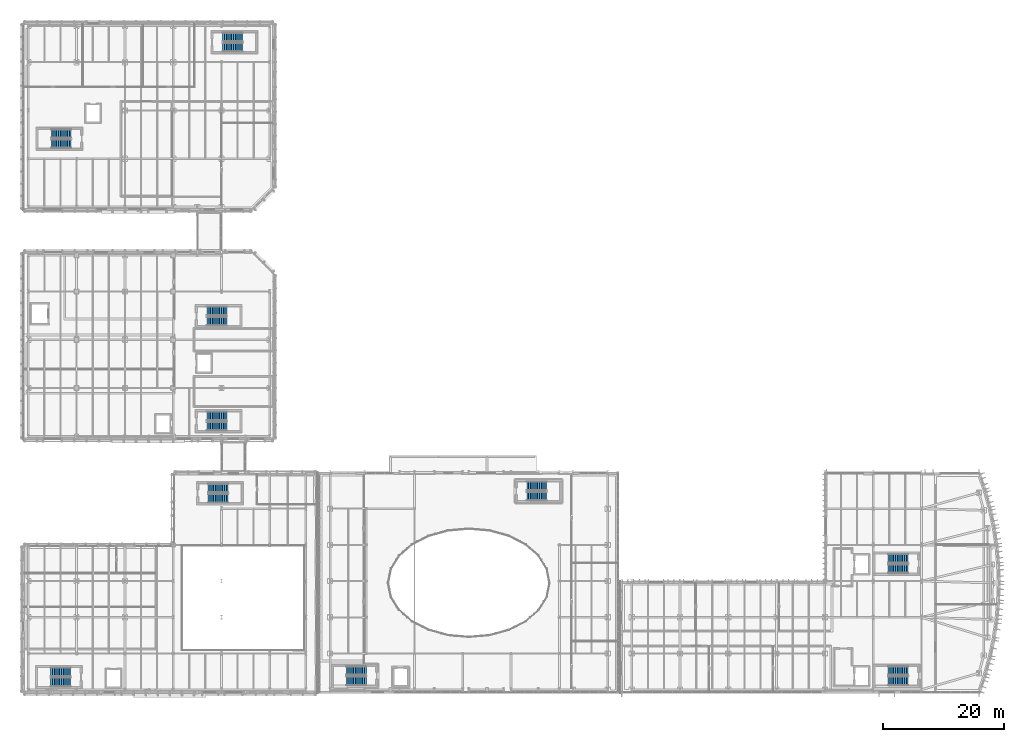
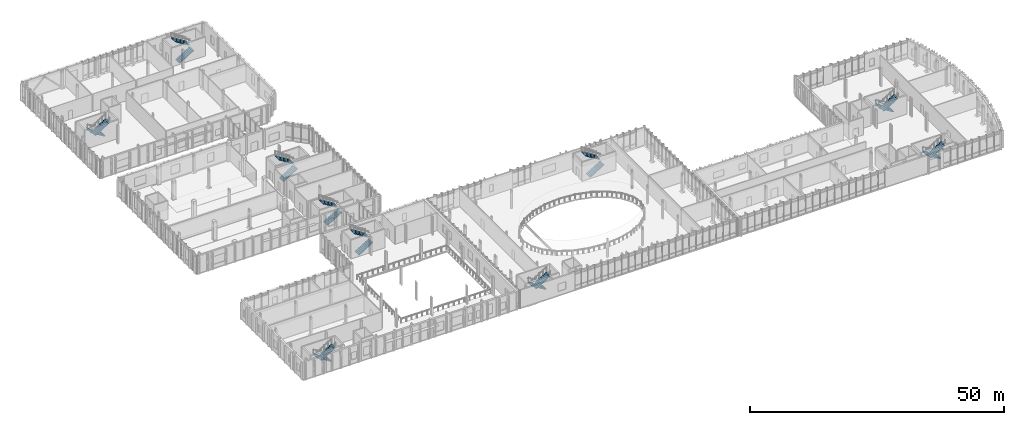
# One storey, part 74 of 100: 20 stair flights, 10 elements without a shape of their own.
"""IFC4 building model written with IfcOpenShell, lengths in metres."""

from ifc_helpers import new_model, si_unit, direction, frame, origin, place, context, subcontext, project, spatial, polyline, outline, extrude, material, type_object, element, aggregate, save


model = new_model("IFC4")

# Units and contexts
model_context = context("Model", 3, precision=1e-05, world=origin(), true_north=direction((0.0, 1.0)))
body_context = subcontext(model_context, "Body", "Model", "MODEL_VIEW")
ifc_project = project(units=[si_unit("LENGTHUNIT", "METRE"), si_unit("AREAUNIT", "SQUARE_METRE"), si_unit("VOLUMEUNIT", "CUBIC_METRE"), si_unit("PLANEANGLEUNIT", "RADIAN"), si_unit("MASSUNIT", "GRAM", prefix="KILO")], contexts=[model_context])

# Site, building, storey
site_placement = place(None, origin())
site = spatial("IfcSite", under=ifc_project, at=site_placement, CompositionType="ELEMENT")
building_placement = place(site_placement, origin())
building = spatial("IfcBuilding", under=site, at=building_placement, Name="Cymarion Research Institute", CompositionType="ELEMENT")
storey_placement = place(building_placement, frame((0.0, 0.0, 4.800048828125)))
storey = spatial("IfcBuildingStorey", under=building, at=storey_placement, Name="L01", CompositionType="ELEMENT", Elevation=4.800048828125)

# Stair, stair flights
ifc_material = material(Name="Concrete C35/45", Category="concrete")
stair_type = type_object("IfcStairType", Name="REINFORCED CONCRETE DOGLEG STAIR STR-4500", PredefinedType="HALF_TURN_STAIR", material=ifc_material)
stair_1_placement = place(storey_placement, origin())
stair_1 = element("IfcStair", 1, at=stair_1_placement, inside=storey, type_object=stair_type, Name="L01 Core C1 Smoke-Proof Exit Stair ST1", PredefinedType="HALF_TURN_STAIR")
stair_flight_type = type_object("IfcStairFlightType", Name="REINFORCED CONCRETE STAIR FLIGHT SFL-4500", PredefinedType="STRAIGHT", material=ifc_material)
stair_flight_1_placement = place(storey_placement, frame((152.39990234375, 8.639892578125, 0.0), z_axis=(0.0, 0.0, 1.0), x_axis=(-1.0, 0.0, 0.0)))
stair_flight_1 = element("IfcStairFlight", 2, at=stair_flight_1_placement, type_object=stair_flight_type, Name="ST1 flight 1", NumberOfRisers=12, NumberOfTreads=11, PredefinedType="STRAIGHT", RiserHeight=0.1875, TreadLength=0.3, context=body_context, shape_type="SweptSolid", body=[
    extrude(outline(polyline([(0.0, 0.0), (0.0, 0.1875), (0.300048828125, 0.1875), (0.300048828125, 0.375), (0.60009765625, 0.375), (0.60009765625, 0.5625), (0.89990234375, 0.5625), (0.89990234375, 0.75), (1.199951171875, 0.75), (1.199951171875, 0.9375), (1.5, 0.9375), (1.5, 1.125), (1.800048828125, 1.125), (1.800048828125, 1.3125), (2.10009765625, 1.3125), (2.10009765625, 1.5), (2.39990234375, 1.5), (2.39990234375, 1.6875), (2.699951171875, 1.6875), (2.699951171875, 1.875), (3.0, 1.875), (3.0, 2.0625), (3.300048828125, 2.0625), (3.300048828125, 2.25), (3.300048828125, 1.8857421875), (0.28271484375, 0.0), (0.0, 0.0)])), frame((0.0, 0.760009765625, 0.0), z_axis=(0.0, -1.0, 0.0), x_axis=(1.0, 0.0, 0.0)), (0.0, 0.0, 1.0), 1.52001953125),
])
stair_flight_2_placement = place(storey_placement, frame((149.10009765625, 6.9599609375, 2.25), z_axis=(0.0, 0.0, 1.0), x_axis=(1.0, 0.0, 0.0)))
stair_flight_2 = element("IfcStairFlight", 3, at=stair_flight_2_placement, type_object=stair_flight_type, Name="ST1 flight 2", NumberOfRisers=12, NumberOfTreads=11, PredefinedType="STRAIGHT", RiserHeight=0.1875, TreadLength=0.3, context=body_context, shape_type="SweptSolid", body=[
    extrude(outline(polyline([(0.0, 0.0), (0.0, 0.1875), (0.300048828125, 0.1875), (0.300048828125, 0.375), (0.60009765625, 0.375), (0.60009765625, 0.5625), (0.89990234375, 0.5625), (0.89990234375, 0.75), (1.199951171875, 0.75), (1.199951171875, 0.9375), (1.5, 0.9375), (1.5, 1.125), (1.800048828125, 1.125), (1.800048828125, 1.3125), (2.10009765625, 1.3125), (2.10009765625, 1.5), (2.39990234375, 1.5), (2.39990234375, 1.6875), (2.699951171875, 1.6875), (2.699951171875, 1.875), (3.0, 1.875), (3.0, 2.0625), (3.300048828125, 2.0625), (3.300048828125, 2.25), (3.300048828125, 1.8857421875), (0.28271484375, 0.0), (0.0, 0.0)])), frame((0.0, 0.760009765625, 0.0), z_axis=(0.0, -1.0, 0.0), x_axis=(1.0, 0.0, 0.0)), (0.0, 0.0, 1.0), 1.52001953125),
])
aggregate(stair_1, [stair_flight_1, stair_flight_2])

stair_2_placement = place(storey_placement, origin())
stair_2 = element("IfcStair", 4, at=stair_2_placement, inside=storey, type_object=stair_type, Name="L01 Core C2 Smoke-Proof Exit Stair ST2", PredefinedType="HALF_TURN_STAIR")
stair_flight_3_placement = place(storey_placement, frame((152.39990234375, 27.239990234375, 0.0), z_axis=(0.0, 0.0, 1.0), x_axis=(-1.0, 0.0, 0.0)))
stair_flight_3 = element("IfcStairFlight", 5, at=stair_flight_3_placement, type_object=stair_flight_type, Name="ST2 flight 1", NumberOfRisers=12, NumberOfTreads=11, PredefinedType="STRAIGHT", RiserHeight=0.1875, TreadLength=0.3, context=body_context, shape_type="SweptSolid", body=[
    extrude(outline(polyline([(0.0, 0.0), (0.0, 0.1875), (0.300048828125, 0.1875), (0.300048828125, 0.375), (0.60009765625, 0.375), (0.60009765625, 0.5625), (0.89990234375, 0.5625), (0.89990234375, 0.75), (1.199951171875, 0.75), (1.199951171875, 0.9375), (1.5, 0.9375), (1.5, 1.125), (1.800048828125, 1.125), (1.800048828125, 1.3125), (2.10009765625, 1.3125), (2.10009765625, 1.5), (2.39990234375, 1.5), (2.39990234375, 1.6875), (2.699951171875, 1.6875), (2.699951171875, 1.875), (3.0, 1.875), (3.0, 2.0625), (3.300048828125, 2.0625), (3.300048828125, 2.25), (3.300048828125, 1.8857421875), (0.28271484375, 0.0), (0.0, 0.0)])), frame((0.0, 0.760009765625, 0.0), z_axis=(0.0, -1.0, 0.0), x_axis=(1.0, 0.0, 0.0)), (0.0, 0.0, 1.0), 1.52001953125),
])
stair_flight_4_placement = place(storey_placement, frame((149.10009765625, 25.56005859375, 2.25), z_axis=(0.0, 0.0, 1.0), x_axis=(1.0, 0.0, 0.0)))
stair_flight_4 = element("IfcStairFlight", 6, at=stair_flight_4_placement, type_object=stair_flight_type, Name="ST2 flight 2", NumberOfRisers=12, NumberOfTreads=11, PredefinedType="STRAIGHT", RiserHeight=0.1875, TreadLength=0.3, context=body_context, shape_type="SweptSolid", body=[
    extrude(outline(polyline([(0.0, 0.0), (0.0, 0.1875), (0.300048828125, 0.1875), (0.300048828125, 0.375), (0.60009765625, 0.375), (0.60009765625, 0.5625), (0.89990234375, 0.5625), (0.89990234375, 0.75), (1.199951171875, 0.75), (1.199951171875, 0.9375), (1.5, 0.9375), (1.5, 1.125), (1.800048828125, 1.125), (1.800048828125, 1.3125), (2.10009765625, 1.3125), (2.10009765625, 1.5), (2.39990234375, 1.5), (2.39990234375, 1.6875), (2.699951171875, 1.6875), (2.699951171875, 1.875), (3.0, 1.875), (3.0, 2.0625), (3.300048828125, 2.0625), (3.300048828125, 2.25), (3.300048828125, 1.8857421875), (0.28271484375, 0.0), (0.0, 0.0)])), frame((0.0, 0.760009765625, 0.0), z_axis=(0.0, -1.0, 0.0), x_axis=(1.0, 0.0, 0.0)), (0.0, 0.0, 1.0), 1.52001953125),
])
aggregate(stair_2, [stair_flight_3, stair_flight_4])

stair_3_placement = place(storey_placement, origin())
stair_3 = element("IfcStair", 7, at=stair_3_placement, inside=storey, type_object=stair_type, Name="L01 Core C3 Smoke-Proof Exit Stair ST3", PredefinedType="HALF_TURN_STAIR")
stair_flight_5_placement = place(storey_placement, frame((62.60009765625, 8.639892578125, 0.0), z_axis=(0.0, 0.0, 1.0), x_axis=(-1.0, 0.0, 0.0)))
stair_flight_5 = element("IfcStairFlight", 8, at=stair_flight_5_placement, type_object=stair_flight_type, Name="ST3 flight 1", NumberOfRisers=12, NumberOfTreads=11, PredefinedType="STRAIGHT", RiserHeight=0.1875, TreadLength=0.3, context=body_context, shape_type="SweptSolid", body=[
    extrude(outline(polyline([(0.0, 0.0), (0.0, 0.1875), (0.300048828125, 0.1875), (0.300048828125, 0.375), (0.60009765625, 0.375), (0.60009765625, 0.5625), (0.89990234375, 0.5625), (0.89990234375, 0.75), (1.199951171875, 0.75), (1.199951171875, 0.9375), (1.5, 0.9375), (1.5, 1.125), (1.800048828125, 1.125), (1.800048828125, 1.3125), (2.10009765625, 1.3125), (2.10009765625, 1.5), (2.39990234375, 1.5), (2.39990234375, 1.6875), (2.699951171875, 1.6875), (2.699951171875, 1.875), (3.0, 1.875), (3.0, 2.0625), (3.300048828125, 2.0625), (3.300048828125, 2.25), (3.300048828125, 1.8857421875), (0.28271484375, 0.0), (0.0, 0.0)])), frame((0.0, 0.760009765625, 0.0), z_axis=(0.0, -1.0, 0.0), x_axis=(1.0, 0.0, 0.0)), (0.0, 0.0, 1.0), 1.52001953125),
])
stair_flight_6_placement = place(storey_placement, frame((59.300048828125, 6.9599609375, 2.25), z_axis=(0.0, 0.0, 1.0), x_axis=(1.0, 0.0, 0.0)))
stair_flight_6 = element("IfcStairFlight", 9, at=stair_flight_6_placement, type_object=stair_flight_type, Name="ST3 flight 2", NumberOfRisers=12, NumberOfTreads=11, PredefinedType="STRAIGHT", RiserHeight=0.1875, TreadLength=0.3, context=body_context, shape_type="SweptSolid", body=[
    extrude(outline(polyline([(0.0, 0.0), (0.0, 0.1875), (0.300048828125, 0.1875), (0.300048828125, 0.375), (0.60009765625, 0.375), (0.60009765625, 0.5625), (0.89990234375, 0.5625), (0.89990234375, 0.75), (1.199951171875, 0.75), (1.199951171875, 0.9375), (1.5, 0.9375), (1.5, 1.125), (1.800048828125, 1.125), (1.800048828125, 1.3125), (2.10009765625, 1.3125), (2.10009765625, 1.5), (2.39990234375, 1.5), (2.39990234375, 1.6875), (2.699951171875, 1.6875), (2.699951171875, 1.875), (3.0, 1.875), (3.0, 2.0625), (3.300048828125, 2.0625), (3.300048828125, 2.25), (3.300048828125, 1.8857421875), (0.28271484375, 0.0), (0.0, 0.0)])), frame((0.0, 0.760009765625, 0.0), z_axis=(0.0, -1.0, 0.0), x_axis=(1.0, 0.0, 0.0)), (0.0, 0.0, 1.0), 1.52001953125),
])
aggregate(stair_3, [stair_flight_5, stair_flight_6])

stair_4_placement = place(storey_placement, origin())
stair_4 = element("IfcStair", 10, at=stair_4_placement, inside=storey, type_object=stair_type, Name="L01 Core C4 Smoke-Proof Exit Stair ST4", PredefinedType="HALF_TURN_STAIR")
stair_flight_7_placement = place(storey_placement, frame((89.199951171875, 37.56005859375, 0.0), z_axis=(0.0, 0.0, 1.0), x_axis=(1.0, 0.0, 0.0)))
stair_flight_7 = element("IfcStairFlight", 11, at=stair_flight_7_placement, type_object=stair_flight_type, Name="ST4 flight 1", NumberOfRisers=12, NumberOfTreads=11, PredefinedType="STRAIGHT", RiserHeight=0.1875, TreadLength=0.3, context=body_context, shape_type="SweptSolid", body=[
    extrude(outline(polyline([(0.0, 0.0), (0.0, 0.1875), (0.300048828125, 0.1875), (0.300048828125, 0.375), (0.60009765625, 0.375), (0.60009765625, 0.5625), (0.89990234375, 0.5625), (0.89990234375, 0.75), (1.199951171875, 0.75), (1.199951171875, 0.9375), (1.5, 0.9375), (1.5, 1.125), (1.800048828125, 1.125), (1.800048828125, 1.3125), (2.10009765625, 1.3125), (2.10009765625, 1.5), (2.39990234375, 1.5), (2.39990234375, 1.6875), (2.699951171875, 1.6875), (2.699951171875, 1.875), (3.0, 1.875), (3.0, 2.0625), (3.300048828125, 2.0625), (3.300048828125, 2.25), (3.300048828125, 1.8857421875), (0.28271484375, 0.0), (0.0, 0.0)])), frame((0.0, 0.760009765625, 0.0), z_axis=(0.0, -1.0, 0.0), x_axis=(1.0, 0.0, 0.0)), (0.0, 0.0, 1.0), 1.52001953125),
])
stair_flight_8_placement = place(storey_placement, frame((92.5, 39.239990234375, 2.25), z_axis=(0.0, 0.0, 1.0), x_axis=(-1.0, 0.0, 0.0)))
stair_flight_8 = element("IfcStairFlight", 12, at=stair_flight_8_placement, type_object=stair_flight_type, Name="ST4 flight 2", NumberOfRisers=12, NumberOfTreads=11, PredefinedType="STRAIGHT", RiserHeight=0.1875, TreadLength=0.3, context=body_context, shape_type="SweptSolid", body=[
    extrude(outline(polyline([(0.0, 0.0), (0.0, 0.1875), (0.300048828125, 0.1875), (0.300048828125, 0.375), (0.60009765625, 0.375), (0.60009765625, 0.5625), (0.89990234375, 0.5625), (0.89990234375, 0.75), (1.199951171875, 0.75), (1.199951171875, 0.9375), (1.5, 0.9375), (1.5, 1.125), (1.800048828125, 1.125), (1.800048828125, 1.3125), (2.10009765625, 1.3125), (2.10009765625, 1.5), (2.39990234375, 1.5), (2.39990234375, 1.6875), (2.699951171875, 1.6875), (2.699951171875, 1.875), (3.0, 1.875), (3.0, 2.0625), (3.300048828125, 2.0625), (3.300048828125, 2.25), (3.300048828125, 1.8857421875), (0.28271484375, 0.0), (0.0, 0.0)])), frame((0.0, 0.760009765625, 0.0), z_axis=(0.0, -1.0, 0.0), x_axis=(1.0, 0.0, 0.0)), (0.0, 0.0, 1.0), 1.52001953125),
])
aggregate(stair_4, [stair_flight_7, stair_flight_8])

stair_5_placement = place(storey_placement, origin())
stair_5 = element("IfcStair", 13, at=stair_5_placement, inside=storey, type_object=stair_type, Name="L01 Core C5 Smoke-Proof Exit Stair ST5", PredefinedType="HALF_TURN_STAIR")
stair_flight_9_placement = place(storey_placement, frame((13.60009765625, 8.43994140625, 0.0), z_axis=(0.0, 0.0, 1.0), x_axis=(-1.0, 0.0, 0.0)))
stair_flight_9 = element("IfcStairFlight", 14, at=stair_flight_9_placement, type_object=stair_flight_type, Name="ST5 flight 1", NumberOfRisers=12, NumberOfTreads=11, PredefinedType="STRAIGHT", RiserHeight=0.1875, TreadLength=0.3, context=body_context, shape_type="SweptSolid", body=[
    extrude(outline(polyline([(0.0, 0.0), (0.0, 0.1875), (0.300048828125, 0.1875), (0.300048828125, 0.375), (0.60009765625, 0.375), (0.60009765625, 0.5625), (0.89990234375, 0.5625), (0.89990234375, 0.75), (1.199951171875, 0.75), (1.199951171875, 0.9375), (1.5, 0.9375), (1.5, 1.125), (1.800048828125, 1.125), (1.800048828125, 1.3125), (2.10009765625, 1.3125), (2.10009765625, 1.5), (2.39990234375, 1.5), (2.39990234375, 1.6875), (2.699951171875, 1.6875), (2.699951171875, 1.875), (3.0, 1.875), (3.0, 2.0625), (3.300048828125, 2.0625), (3.300048828125, 2.25), (3.300048828125, 1.8857421875), (0.28271484375, 0.0), (0.0, 0.0)])), frame((0.0, 0.760009765625, 0.0), z_axis=(0.0, -1.0, 0.0), x_axis=(1.0, 0.0, 0.0)), (0.0, 0.0, 1.0), 1.52001953125),
])
stair_flight_10_placement = place(storey_placement, frame((10.300048828125, 6.760009765625, 2.25), z_axis=(0.0, 0.0, 1.0), x_axis=(1.0, 0.0, 0.0)))
stair_flight_10 = element("IfcStairFlight", 15, at=stair_flight_10_placement, type_object=stair_flight_type, Name="ST5 flight 2", NumberOfRisers=12, NumberOfTreads=11, PredefinedType="STRAIGHT", RiserHeight=0.1875, TreadLength=0.3, context=body_context, shape_type="SweptSolid", body=[
    extrude(outline(polyline([(0.0, 0.0), (0.0, 0.1875), (0.300048828125, 0.1875), (0.300048828125, 0.375), (0.60009765625, 0.375), (0.60009765625, 0.5625), (0.89990234375, 0.5625), (0.89990234375, 0.75), (1.199951171875, 0.75), (1.199951171875, 0.9375), (1.5, 0.9375), (1.5, 1.125), (1.800048828125, 1.125), (1.800048828125, 1.3125), (2.10009765625, 1.3125), (2.10009765625, 1.5), (2.39990234375, 1.5), (2.39990234375, 1.6875), (2.699951171875, 1.6875), (2.699951171875, 1.875), (3.0, 1.875), (3.0, 2.0625), (3.300048828125, 2.0625), (3.300048828125, 2.25), (3.300048828125, 1.8857421875), (0.28271484375, 0.0), (0.0, 0.0)])), frame((0.0, 0.760009765625, 0.0), z_axis=(0.0, -1.0, 0.0), x_axis=(1.0, 0.0, 0.0)), (0.0, 0.0, 1.0), 1.52001953125),
])
aggregate(stair_5, [stair_flight_9, stair_flight_10])

stair_6_placement = place(storey_placement, origin())
stair_6 = element("IfcStair", 16, at=stair_6_placement, inside=storey, type_object=stair_type, Name="L01 Core C6 Smoke-Proof Exit Stair ST6", PredefinedType="HALF_TURN_STAIR")
stair_flight_11_placement = place(storey_placement, frame((36.39990234375, 37.2099609375, 0.0), z_axis=(0.0, 0.0, 1.0), x_axis=(1.0, 0.0, 0.0)))
stair_flight_11 = element("IfcStairFlight", 17, at=stair_flight_11_placement, type_object=stair_flight_type, Name="ST6 flight 1", NumberOfRisers=12, NumberOfTreads=11, PredefinedType="STRAIGHT", RiserHeight=0.1875, TreadLength=0.3, context=body_context, shape_type="SweptSolid", body=[
    extrude(outline(polyline([(0.0, 0.0), (0.0, 0.1875), (0.300048828125, 0.1875), (0.300048828125, 0.375), (0.60009765625, 0.375), (0.60009765625, 0.5625), (0.89990234375, 0.5625), (0.89990234375, 0.75), (1.199951171875, 0.75), (1.199951171875, 0.9375), (1.5, 0.9375), (1.5, 1.125), (1.800048828125, 1.125), (1.800048828125, 1.3125), (2.10009765625, 1.3125), (2.10009765625, 1.5), (2.39990234375, 1.5), (2.39990234375, 1.6875), (2.699951171875, 1.6875), (2.699951171875, 1.875), (3.0, 1.875), (3.0, 2.0625), (3.300048828125, 2.0625), (3.300048828125, 2.25), (3.300048828125, 1.8857421875), (0.28271484375, 0.0), (0.0, 0.0)])), frame((0.0, 0.760009765625, 0.0), z_axis=(0.0, -1.0, 0.0), x_axis=(1.0, 0.0, 0.0)), (0.0, 0.0, 1.0), 1.52001953125),
])
stair_flight_12_placement = place(storey_placement, frame((39.699951171875, 38.889892578125, 2.25), z_axis=(0.0, 0.0, 1.0), x_axis=(-1.0, 0.0, 0.0)))
stair_flight_12 = element("IfcStairFlight", 18, at=stair_flight_12_placement, type_object=stair_flight_type, Name="ST6 flight 2", NumberOfRisers=12, NumberOfTreads=11, PredefinedType="STRAIGHT", RiserHeight=0.1875, TreadLength=0.3, context=body_context, shape_type="SweptSolid", body=[
    extrude(outline(polyline([(0.0, 0.0), (0.0, 0.1875), (0.300048828125, 0.1875), (0.300048828125, 0.375), (0.60009765625, 0.375), (0.60009765625, 0.5625), (0.89990234375, 0.5625), (0.89990234375, 0.75), (1.199951171875, 0.75), (1.199951171875, 0.9375), (1.5, 0.9375), (1.5, 1.125), (1.800048828125, 1.125), (1.800048828125, 1.3125), (2.10009765625, 1.3125), (2.10009765625, 1.5), (2.39990234375, 1.5), (2.39990234375, 1.6875), (2.699951171875, 1.6875), (2.699951171875, 1.875), (3.0, 1.875), (3.0, 2.0625), (3.300048828125, 2.0625), (3.300048828125, 2.25), (3.300048828125, 1.8857421875), (0.28271484375, 0.0), (0.0, 0.0)])), frame((0.0, 0.760009765625, 0.0), z_axis=(0.0, -1.0, 0.0), x_axis=(1.0, 0.0, 0.0)), (0.0, 0.0, 1.0), 1.52001953125),
])
aggregate(stair_6, [stair_flight_11, stair_flight_12])

stair_7_placement = place(storey_placement, origin())
stair_7 = element("IfcStair", 19, at=stair_7_placement, inside=storey, type_object=stair_type, Name="L01 Core C7 Smoke-Proof Exit Stair ST7", PredefinedType="HALF_TURN_STAIR")
stair_flight_13_placement = place(storey_placement, frame((36.199951171875, 49.159912109375, 0.0), z_axis=(0.0, 0.0, 1.0), x_axis=(1.0, 0.0, 0.0)))
stair_flight_13 = element("IfcStairFlight", 20, at=stair_flight_13_placement, type_object=stair_flight_type, Name="ST7 flight 1", NumberOfRisers=12, NumberOfTreads=11, PredefinedType="STRAIGHT", RiserHeight=0.1875, TreadLength=0.3, context=body_context, shape_type="SweptSolid", body=[
    extrude(outline(polyline([(0.0, 0.0), (0.0, 0.1875), (0.300048828125, 0.1875), (0.300048828125, 0.375), (0.60009765625, 0.375), (0.60009765625, 0.5625), (0.89990234375, 0.5625), (0.89990234375, 0.75), (1.199951171875, 0.75), (1.199951171875, 0.9375), (1.5, 0.9375), (1.5, 1.125), (1.800048828125, 1.125), (1.800048828125, 1.3125), (2.10009765625, 1.3125), (2.10009765625, 1.5), (2.39990234375, 1.5), (2.39990234375, 1.6875), (2.699951171875, 1.6875), (2.699951171875, 1.875), (3.0, 1.875), (3.0, 2.0625), (3.300048828125, 2.0625), (3.300048828125, 2.25), (3.300048828125, 1.8857421875), (0.28271484375, 0.0), (0.0, 0.0)])), frame((0.0, 0.760009765625, 0.0), z_axis=(0.0, -1.0, 0.0), x_axis=(1.0, 0.0, 0.0)), (0.0, 0.0, 1.0), 1.52001953125),
])
stair_flight_14_placement = place(storey_placement, frame((39.5, 50.840087890625, 2.25), z_axis=(0.0, 0.0, 1.0), x_axis=(-1.0, 0.0, 0.0)))
stair_flight_14 = element("IfcStairFlight", 21, at=stair_flight_14_placement, type_object=stair_flight_type, Name="ST7 flight 2", NumberOfRisers=12, NumberOfTreads=11, PredefinedType="STRAIGHT", RiserHeight=0.1875, TreadLength=0.3, context=body_context, shape_type="SweptSolid", body=[
    extrude(outline(polyline([(0.0, 0.0), (0.0, 0.1875), (0.300048828125, 0.1875), (0.300048828125, 0.375), (0.60009765625, 0.375), (0.60009765625, 0.5625), (0.89990234375, 0.5625), (0.89990234375, 0.75), (1.199951171875, 0.75), (1.199951171875, 0.9375), (1.5, 0.9375), (1.5, 1.125), (1.800048828125, 1.125), (1.800048828125, 1.3125), (2.10009765625, 1.3125), (2.10009765625, 1.5), (2.39990234375, 1.5), (2.39990234375, 1.6875), (2.699951171875, 1.6875), (2.699951171875, 1.875), (3.0, 1.875), (3.0, 2.0625), (3.300048828125, 2.0625), (3.300048828125, 2.25), (3.300048828125, 1.8857421875), (0.28271484375, 0.0), (0.0, 0.0)])), frame((0.0, 0.760009765625, 0.0), z_axis=(0.0, -1.0, 0.0), x_axis=(1.0, 0.0, 0.0)), (0.0, 0.0, 1.0), 1.52001953125),
])
aggregate(stair_7, [stair_flight_13, stair_flight_14])

stair_8_placement = place(storey_placement, origin())
stair_8 = element("IfcStair", 22, at=stair_8_placement, inside=storey, type_object=stair_type, Name="L01 Core C8 Smoke-Proof Exit Stair ST8", PredefinedType="HALF_TURN_STAIR")
stair_flight_15_placement = place(storey_placement, frame((36.199951171875, 66.56005859375, 0.0), z_axis=(0.0, 0.0, 1.0), x_axis=(1.0, 0.0, 0.0)))
stair_flight_15 = element("IfcStairFlight", 23, at=stair_flight_15_placement, type_object=stair_flight_type, Name="ST8 flight 1", NumberOfRisers=12, NumberOfTreads=11, PredefinedType="STRAIGHT", RiserHeight=0.1875, TreadLength=0.3, context=body_context, shape_type="SweptSolid", body=[
    extrude(outline(polyline([(0.0, 0.0), (0.0, 0.1875), (0.300048828125, 0.1875), (0.300048828125, 0.375), (0.60009765625, 0.375), (0.60009765625, 0.5625), (0.89990234375, 0.5625), (0.89990234375, 0.75), (1.199951171875, 0.75), (1.199951171875, 0.9375), (1.5, 0.9375), (1.5, 1.125), (1.800048828125, 1.125), (1.800048828125, 1.3125), (2.10009765625, 1.3125), (2.10009765625, 1.5), (2.39990234375, 1.5), (2.39990234375, 1.6875), (2.699951171875, 1.6875), (2.699951171875, 1.875), (3.0, 1.875), (3.0, 2.0625), (3.300048828125, 2.0625), (3.300048828125, 2.25), (3.300048828125, 1.8857421875), (0.28271484375, 0.0), (0.0, 0.0)])), frame((0.0, 0.760009765625, 0.0), z_axis=(0.0, -1.0, 0.0), x_axis=(1.0, 0.0, 0.0)), (0.0, 0.0, 1.0), 1.52001953125),
])
stair_flight_16_placement = place(storey_placement, frame((39.5, 68.239990234375, 2.25), z_axis=(0.0, 0.0, 1.0), x_axis=(-1.0, 0.0, 0.0)))
stair_flight_16 = element("IfcStairFlight", 24, at=stair_flight_16_placement, type_object=stair_flight_type, Name="ST8 flight 2", NumberOfRisers=12, NumberOfTreads=11, PredefinedType="STRAIGHT", RiserHeight=0.1875, TreadLength=0.3, context=body_context, shape_type="SweptSolid", body=[
    extrude(outline(polyline([(0.0, 0.0), (0.0, 0.1875), (0.300048828125, 0.1875), (0.300048828125, 0.375), (0.60009765625, 0.375), (0.60009765625, 0.5625), (0.89990234375, 0.5625), (0.89990234375, 0.75), (1.199951171875, 0.75), (1.199951171875, 0.9375), (1.5, 0.9375), (1.5, 1.125), (1.800048828125, 1.125), (1.800048828125, 1.3125), (2.10009765625, 1.3125), (2.10009765625, 1.5), (2.39990234375, 1.5), (2.39990234375, 1.6875), (2.699951171875, 1.6875), (2.699951171875, 1.875), (3.0, 1.875), (3.0, 2.0625), (3.300048828125, 2.0625), (3.300048828125, 2.25), (3.300048828125, 1.8857421875), (0.28271484375, 0.0), (0.0, 0.0)])), frame((0.0, 0.760009765625, 0.0), z_axis=(0.0, -1.0, 0.0), x_axis=(1.0, 0.0, 0.0)), (0.0, 0.0, 1.0), 1.52001953125),
])
aggregate(stair_8, [stair_flight_15, stair_flight_16])

stair_9_placement = place(storey_placement, origin())
stair_9 = element("IfcStair", 25, at=stair_9_placement, inside=storey, type_object=stair_type, Name="L01 Core C9 Smoke-Proof Exit Stair ST9", PredefinedType="HALF_TURN_STAIR")
stair_flight_17_placement = place(storey_placement, frame((13.699951171875, 97.639892578125, 0.0), z_axis=(0.0, 0.0, 1.0), x_axis=(-1.0, 0.0, 0.0)))
stair_flight_17 = element("IfcStairFlight", 26, at=stair_flight_17_placement, type_object=stair_flight_type, Name="ST9 flight 1", NumberOfRisers=12, NumberOfTreads=11, PredefinedType="STRAIGHT", RiserHeight=0.1875, TreadLength=0.3, context=body_context, shape_type="SweptSolid", body=[
    extrude(outline(polyline([(0.0, 0.0), (0.0, 0.1875), (0.300048828125, 0.1875), (0.300048828125, 0.375), (0.60009765625, 0.375), (0.60009765625, 0.5625), (0.89990234375, 0.5625), (0.89990234375, 0.75), (1.199951171875, 0.75), (1.199951171875, 0.9375), (1.5, 0.9375), (1.5, 1.125), (1.800048828125, 1.125), (1.800048828125, 1.3125), (2.10009765625, 1.3125), (2.10009765625, 1.5), (2.39990234375, 1.5), (2.39990234375, 1.6875), (2.699951171875, 1.6875), (2.699951171875, 1.875), (3.0, 1.875), (3.0, 2.0625), (3.300048828125, 2.0625), (3.300048828125, 2.25), (3.300048828125, 1.8857421875), (0.28271484375, 0.0), (0.0, 0.0)])), frame((0.0, 0.760009765625, 0.0), z_axis=(0.0, -1.0, 0.0), x_axis=(1.0, 0.0, 0.0)), (0.0, 0.0, 1.0), 1.52001953125),
])
stair_flight_18_placement = place(storey_placement, frame((10.39990234375, 95.9599609375, 2.25), z_axis=(0.0, 0.0, 1.0), x_axis=(1.0, 0.0, 0.0)))
stair_flight_18 = element("IfcStairFlight", 27, at=stair_flight_18_placement, type_object=stair_flight_type, Name="ST9 flight 2", NumberOfRisers=12, NumberOfTreads=11, PredefinedType="STRAIGHT", RiserHeight=0.1875, TreadLength=0.3, context=body_context, shape_type="SweptSolid", body=[
    extrude(outline(polyline([(0.0, 0.0), (0.0, 0.1875), (0.300048828125, 0.1875), (0.300048828125, 0.375), (0.60009765625, 0.375), (0.60009765625, 0.5625), (0.89990234375, 0.5625), (0.89990234375, 0.75), (1.199951171875, 0.75), (1.199951171875, 0.9375), (1.5, 0.9375), (1.5, 1.125), (1.800048828125, 1.125), (1.800048828125, 1.3125), (2.10009765625, 1.3125), (2.10009765625, 1.5), (2.39990234375, 1.5), (2.39990234375, 1.6875), (2.699951171875, 1.6875), (2.699951171875, 1.875), (3.0, 1.875), (3.0, 2.0625), (3.300048828125, 2.0625), (3.300048828125, 2.25), (3.300048828125, 1.8857421875), (0.28271484375, 0.0), (0.0, 0.0)])), frame((0.0, 0.760009765625, 0.0), z_axis=(0.0, -1.0, 0.0), x_axis=(1.0, 0.0, 0.0)), (0.0, 0.0, 1.0), 1.52001953125),
])
aggregate(stair_9, [stair_flight_17, stair_flight_18])

stair_10_placement = place(storey_placement, origin())
stair_10 = element("IfcStair", 28, at=stair_10_placement, inside=storey, type_object=stair_type, Name="L01 Core C10 Smoke-Proof Exit Stair ST10", PredefinedType="HALF_TURN_STAIR")
stair_flight_19_placement = place(storey_placement, frame((38.800048828125, 111.9599609375, 0.0), z_axis=(0.0, 0.0, 1.0), x_axis=(1.0, 0.0, 0.0)))
stair_flight_19 = element("IfcStairFlight", 29, at=stair_flight_19_placement, type_object=stair_flight_type, Name="ST10 flight 1", NumberOfRisers=12, NumberOfTreads=11, PredefinedType="STRAIGHT", RiserHeight=0.1875, TreadLength=0.3, context=body_context, shape_type="SweptSolid", body=[
    extrude(outline(polyline([(0.0, 0.0), (0.0, 0.1875), (0.300048828125, 0.1875), (0.300048828125, 0.375), (0.60009765625, 0.375), (0.60009765625, 0.5625), (0.89990234375, 0.5625), (0.89990234375, 0.75), (1.199951171875, 0.75), (1.199951171875, 0.9375), (1.5, 0.9375), (1.5, 1.125), (1.800048828125, 1.125), (1.800048828125, 1.3125), (2.10009765625, 1.3125), (2.10009765625, 1.5), (2.39990234375, 1.5), (2.39990234375, 1.6875), (2.699951171875, 1.6875), (2.699951171875, 1.875), (3.0, 1.875), (3.0, 2.0625), (3.300048828125, 2.0625), (3.300048828125, 2.25), (3.300048828125, 1.8857421875), (0.28271484375, 0.0), (0.0, 0.0)])), frame((0.0, 0.760009765625, 0.0), z_axis=(0.0, -1.0, 0.0), x_axis=(1.0, 0.0, 0.0)), (0.0, 0.0, 1.0), 1.52001953125),
])
stair_flight_20_placement = place(storey_placement, frame((42.10009765625, 113.639892578125, 2.25), z_axis=(0.0, 0.0, 1.0), x_axis=(-1.0, 0.0, 0.0)))
stair_flight_20 = element("IfcStairFlight", 30, at=stair_flight_20_placement, type_object=stair_flight_type, Name="ST10 flight 2", NumberOfRisers=12, NumberOfTreads=11, PredefinedType="STRAIGHT", RiserHeight=0.1875, TreadLength=0.3, context=body_context, shape_type="SweptSolid", body=[
    extrude(outline(polyline([(0.0, 0.0), (0.0, 0.1875), (0.300048828125, 0.1875), (0.300048828125, 0.375), (0.60009765625, 0.375), (0.60009765625, 0.5625), (0.89990234375, 0.5625), (0.89990234375, 0.75), (1.199951171875, 0.75), (1.199951171875, 0.9375), (1.5, 0.9375), (1.5, 1.125), (1.800048828125, 1.125), (1.800048828125, 1.3125), (2.10009765625, 1.3125), (2.10009765625, 1.5), (2.39990234375, 1.5), (2.39990234375, 1.6875), (2.699951171875, 1.6875), (2.699951171875, 1.875), (3.0, 1.875), (3.0, 2.0625), (3.300048828125, 2.0625), (3.300048828125, 2.25), (3.300048828125, 1.8857421875), (0.28271484375, 0.0), (0.0, 0.0)])), frame((0.0, 0.760009765625, 0.0), z_axis=(0.0, -1.0, 0.0), x_axis=(1.0, 0.0, 0.0)), (0.0, 0.0, 1.0), 1.52001953125),
])
aggregate(stair_10, [stair_flight_19, stair_flight_20])

save(model, "model.ifc")
